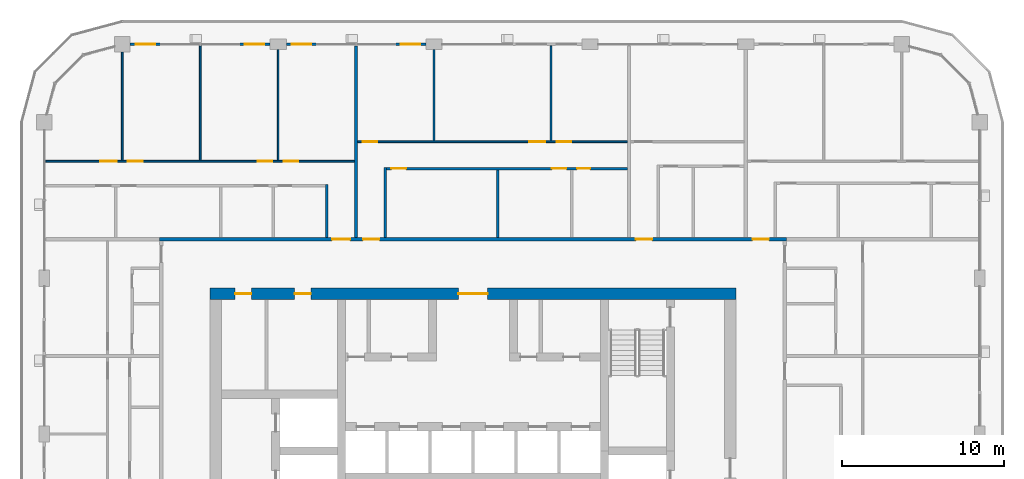
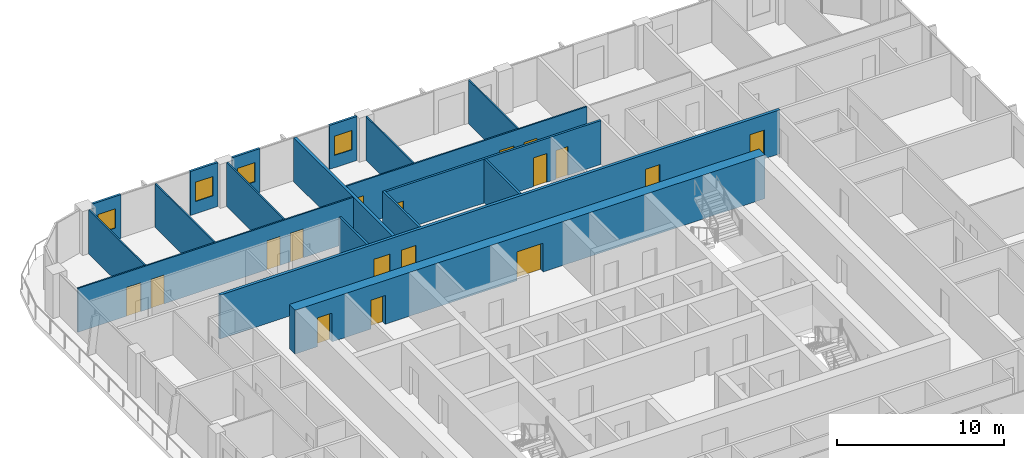
# One storey, part 14 of 23: 18 walls, 17 doors, 4 windows, 21 openings.
"""IFC4 building model written with IfcOpenShell, lengths in metres."""

import ifcopenshell
import ifcopenshell.guid

model = None  # the IFC model being written
_history = None  # IfcOwnerHistory: only IFC2X3 demands one
_inside = {}  # id of a spatial element -> (the spatial element, [elements in it])
_under = {}  # id of a project, library or spatial element -> (it, [spatial elements below it])
_declared = {}  # id of a project -> (the project, [libraries it declares])
_typed = {}  # id of a type object -> (the type object, [elements of that type])
_made_of = {}  # id of a material, layer set ... -> (it, [elements and type objects made of it])


def new_model(schema):
    """Start an empty IFC model of exactly this schema.

    Asked for "IFC4X3", IfcOpenShell would pick the latest addendum, in which some entities
    have other attributes; the version numbers below select the first issue.
    IFC2X3 requires an IfcOwnerHistory on every rooted entity: one is made here for all.
    """
    global model, _history
    if schema == "IFC4X3":
        model = ifcopenshell.file(schema_version=(4, 3, 0, 0))
    else:
        model = ifcopenshell.file(schema=schema)
    _inside.clear()
    _under.clear()
    _declared.clear()
    _typed.clear()
    _made_of.clear()
    _history = None
    if model.schema == "IFC2X3":
        org = make("IfcOrganization", Name="unknown")
        user = make(
            "IfcPersonAndOrganization",
            ThePerson=make("IfcPerson", FamilyName="unknown"),
            TheOrganization=org,
        )
        app = make(
            "IfcApplication",
            ApplicationDeveloper=org,
            Version="unknown",
            ApplicationFullName="unknown",
            ApplicationIdentifier="unknown",
        )
        _history = make(
            "IfcOwnerHistory",
            OwningUser=user,
            OwningApplication=app,
            ChangeAction="ADDED",
            CreationDate=0,
        )
    return model


def make(cls, **values):
    """One entity of the class cls with the attributes given. An attribute that is None is left unset."""
    return model.create_entity(
        cls, **{name: value for name, value in values.items() if value is not None}
    )


def rooted(cls, **values):
    """An entity with a GlobalId (a new one), such as an element, a storey or a relation."""
    return make(cls, GlobalId=ifcopenshell.guid.new(), OwnerHistory=_history, **values)


def si_unit(unit_type, name, prefix=None):
    """IfcSIUnit, for example si_unit("LENGTHUNIT", "METRE", prefix="MILLI")."""
    return make("IfcSIUnit", UnitType=unit_type, Prefix=prefix, Name=name)


def assignment(units):
    """IfcUnitAssignment: the units of a project."""
    return None if units is None else make("IfcUnitAssignment", Units=units)


def point(xyz):
    """IfcCartesianPoint."""
    return None if xyz is None else make("IfcCartesianPoint", Coordinates=xyz)


def direction(xyz):
    """IfcDirection."""
    return None if xyz is None else make("IfcDirection", DirectionRatios=xyz)


def frame(location, z_axis=None, x_axis=None):
    """IfcAxis2Placement3D, a coordinate frame: its origin and axes. An axis left out is left unset."""
    return make(
        "IfcAxis2Placement3D",
        Location=point(location),
        Axis=direction(z_axis),
        RefDirection=direction(x_axis),
    )


def frame_2d(location, x_axis=None):
    """IfcAxis2Placement2D, a coordinate frame in the plane: its origin and x axis."""
    return make(
        "IfcAxis2Placement2D", Location=point(location), RefDirection=direction(x_axis)
    )


def origin():
    """The frame at (0, 0, 0) with its axes left unset."""
    return frame((0.0, 0.0, 0.0))


def place(relative_to, where):
    """IfcLocalPlacement: puts the frame where relative to a parent placement (None: the world)."""
    return make(
        "IfcLocalPlacement", PlacementRelTo=relative_to, RelativePlacement=where
    )


def context(
    kind, dimensions, precision=None, world=None, true_north=None, identifier=None
):
    """IfcGeometricRepresentationContext, for example the 3D "Model" context."""
    return make(
        "IfcGeometricRepresentationContext",
        ContextIdentifier=identifier,
        ContextType=kind,
        CoordinateSpaceDimension=dimensions,
        Precision=precision,
        WorldCoordinateSystem=world,
        TrueNorth=true_north,
    )


def subcontext(parent, identifier, kind, view, scale=None):
    """IfcGeometricRepresentationSubContext, for example "Body" below "Model"."""
    return make(
        "IfcGeometricRepresentationSubContext",
        ContextIdentifier=identifier,
        ContextType=kind,
        ParentContext=parent,
        TargetScale=scale,
        TargetView=view,
    )


def project(units=None, contexts=None):
    """IfcProject with its units and contexts."""
    return rooted(
        "IfcProject",
        Name="project",
        RepresentationContexts=contexts,
        UnitsInContext=assignment(units),
    )


def spatial(cls, under=None, at=None, **own):
    """A site, building, storey or space (cls), placed at a placement, below another one or the project."""
    s = rooted(cls, ObjectPlacement=at, **own)
    if under is not None:
        _under.setdefault(under.id(), (under, []))[1].append(s)
    return s


def profile(cls, at=None, kind="AREA", **sizes):
    """A parametric profile (cls). Its sizes go by their IFC names, for example OverallWidth=200.0."""
    return make(cls, ProfileType=kind, Position=at, **sizes)


def rectangle(**sizes):
    """IfcRectangleProfileDef."""
    return profile("IfcRectangleProfileDef", **sizes)


def extrude(swept, where, along, depth):
    """IfcExtrudedAreaSolid: the profile swept, set in the frame where, extruded along a direction by depth."""
    return make(
        "IfcExtrudedAreaSolid",
        SweptArea=swept,
        Position=where,
        ExtrudedDirection=direction(along),
        Depth=depth,
    )


def shape(context_of_items, identifier, shape_type, items):
    """IfcShapeRepresentation: the items that make up one representation, for example the "Body"."""
    return make(
        "IfcShapeRepresentation",
        ContextOfItems=context_of_items,
        RepresentationIdentifier=identifier,
        RepresentationType=shape_type,
        Items=items,
    )


def material(Name=None, Category=None):
    """IfcMaterial."""
    return make("IfcMaterial", Name=Name, Category=Category)


def layer(
    of_material, thickness, ventilated=None, Name=None, Category=None, Priority=None
):
    """IfcMaterialLayer: one layer of a wall or slab, of a material (None: an air gap)."""
    return make(
        "IfcMaterialLayer",
        Material=of_material,
        LayerThickness=thickness,
        IsVentilated=ventilated,
        Name=Name,
        Category=Category,
        Priority=Priority,
    )


def layer_set(layers, Name=None):
    """IfcMaterialLayerSet."""
    return make("IfcMaterialLayerSet", MaterialLayers=layers, LayerSetName=Name)


def made_of(thing, what):
    """Note that an element or type object is made of a material, layer set ...; save() writes the relation."""
    if what is not None:
        _made_of.setdefault(what.id(), (what, []))[1].append(thing)
    return thing


def type_object(cls, material=None, **own):
    """A type object (cls), such as IfcWallType, which elements share."""
    return made_of(rooted(cls, **own), material)


def element(
    cls,
    number,
    at=None,
    inside=None,
    cuts=None,
    type_object=None,
    material=None,
    context=None,
    identifier="Body",
    shape_type=None,
    held_by="IfcProductDefinitionShape",
    body=None,
    shapes=None,
    **own,
):
    """One element of the class cls, such as IfcWall. Its Tag is "e" and its number.

    at: its placement. inside: the storey or other place that contains it. cuts: it is an
    opening in that element (IfcRelVoidsElement). A single representation is given by context,
    identifier, shape_type and body (its items); several are given by shapes. held_by: the class
    of the entity that holds the representations. save() writes the other relations.
    """
    e = rooted(cls, Tag="e%d" % number, ObjectPlacement=at, **own)
    if body is not None:
        shapes = [shape(context, identifier, shape_type, body)]
    if shapes is not None:
        e.Representation = make(held_by, Representations=shapes)
    if inside is not None:
        _inside.setdefault(inside.id(), (inside, []))[1].append(e)
    if cuts is not None:
        rooted(
            "IfcRelVoidsElement", RelatingBuildingElement=cuts, RelatedOpeningElement=e
        )
    if type_object is not None:
        _typed.setdefault(type_object.id(), (type_object, []))[1].append(e)
    return made_of(e, material)


def fill(opening, filler):
    """IfcRelFillsElement: the door or window that sits in an opening."""
    return rooted(
        "IfcRelFillsElement",
        RelatingOpeningElement=opening,
        RelatedBuildingElement=filler,
    )


def aggregate(whole, parts):
    """IfcRelAggregates: a whole, such as a stair, and the parts it consists of."""
    return rooted("IfcRelAggregates", RelatingObject=whole, RelatedObjects=parts)


def save(model, path):
    """Write the relations noted so far, then the file.

    IfcRelAggregates (storeys below a building ...), IfcRelContainedInSpatialStructure (elements
    in a storey), IfcRelDefinesByType, IfcRelAssociatesMaterial and IfcRelDeclares: one each for
    every whole, place, type object, material and project.
    """
    for whole, parts in _under.values():
        aggregate(whole, parts)
    for where, things in _inside.values():
        rooted(
            "IfcRelContainedInSpatialStructure",
            RelatedElements=things,
            RelatingStructure=where,
        )
    for kind, things in _typed.values():
        rooted("IfcRelDefinesByType", RelatedObjects=things, RelatingType=kind)
    for what, things in _made_of.values():
        rooted("IfcRelAssociatesMaterial", RelatedObjects=things, RelatingMaterial=what)
    for by, libraries in _declared.values():
        rooted("IfcRelDeclares", RelatingContext=by, RelatedDefinitions=libraries)
    model.write(path)


model = new_model("IFC4")

# Units and contexts
model_context = context("Model", 3, precision=1e-05, world=origin(), true_north=direction((0.0, 1.0)))
body_context = subcontext(model_context, "Body", "Model", "MODEL_VIEW")
ifc_project = project(units=[si_unit("LENGTHUNIT", "METRE"), si_unit("AREAUNIT", "SQUARE_METRE"), si_unit("VOLUMEUNIT", "CUBIC_METRE"), si_unit("PLANEANGLEUNIT", "RADIAN"), si_unit("MASSUNIT", "GRAM", prefix="KILO")], contexts=[model_context])

# Site, building, storey
site_placement = place(None, origin())
site = spatial("IfcSite", under=ifc_project, at=site_placement, CompositionType="ELEMENT")
building_placement = place(site_placement, origin())
building = spatial("IfcBuilding", under=site, at=building_placement, Name="Madar Terraces", CompositionType="ELEMENT")
storey_placement = place(building_placement, frame((0.0, 0.0, 212.300048828125)))
storey = spatial("IfcBuildingStorey", under=building, at=storey_placement, Name="L55", CompositionType="ELEMENT", Elevation=212.300048828125)

# Wall, openings, doors
ifc_material_1 = material(Name="Concrete C60/75", Category="concrete")
ifc_layer_1 = layer(ifc_material_1, 0.699951171875)
ifc_layer_set_1 = layer_set([ifc_layer_1], Name="Concrete C60/75 (CRW4 RC wall 700)")
wall_type_1 = type_object("IfcWallType", Name="CRW4 RC wall 700", PredefinedType="SHEAR", material=ifc_layer_set_1)
wall_1_placement = place(storey_placement, frame((15.0, 37.449951171875, 0.0), z_axis=(0.0, 0.0, 1.0), x_axis=(1.0, 0.0, 0.0)))
wall_1 = element("IfcWall", 1, at=wall_1_placement, inside=storey, type_object=wall_type_1, Name="CORE OUTER WALL", PredefinedType="SHEAR", context=body_context, shape_type="SweptSolid", body=[
    extrude(rectangle(XDim=32.39990234375, YDim=0.699951171875, at=frame_2d((16.199951171875, 0.0))), origin(), (0.0, 0.0, 1.0), 3.199951171875),
])
opening_1_placement = place(wall_1_placement, frame((15.300048828125, 0.0, 0.0)))
opening_1 = element("IfcOpeningElement", 2, at=opening_1_placement, cuts=wall_1, Name="Opening KD1", PredefinedType="OPENING", context=body_context, shape_type="SweptSolid", body=[
    extrude(rectangle(XDim=1.800048828125, YDim=2.10009765625, at=frame_2d((0.89990234375, 1.050048828125))), frame((0.0, 0.35986328125, 0.0), z_axis=(0.0, -1.0, 0.0), x_axis=(1.0, 0.0, 0.0)), (0.0, 0.0, 1.0), 0.719970703125),
])
opening_2_placement = place(wall_1_placement, frame((1.544189453125, 0.0, 0.0)))
opening_2 = element("IfcOpeningElement", 3, at=opening_2_placement, cuts=wall_1, Name="Opening KD2", PredefinedType="OPENING", context=body_context, shape_type="SweptSolid", body=[
    extrude(rectangle(XDim=1.0, YDim=2.10009765625, at=frame_2d((0.5, 1.050048828125))), frame((0.0, 0.35986328125, 0.0), z_axis=(0.0, -1.0, 0.0), x_axis=(1.0, 0.0, 0.0)), (0.0, 0.0, 1.0), 0.719970703125),
])
opening_3_placement = place(wall_1_placement, frame((5.21923828125, 0.0, 0.0)))
opening_3 = element("IfcOpeningElement", 4, at=opening_3_placement, cuts=wall_1, Name="Opening KD2", PredefinedType="OPENING", context=body_context, shape_type="SweptSolid", body=[
    extrude(rectangle(XDim=1.0, YDim=2.10009765625, at=frame_2d((0.5, 1.050048828125))), frame((0.0, 0.35986328125, 0.0), z_axis=(0.0, -1.0, 0.0), x_axis=(1.0, 0.0, 0.0)), (0.0, 0.0, 1.0), 0.719970703125),
])
ifc_material_2 = material(Name="Steel door leaf", Category="steel")
door_type_1 = type_object("IfcDoorType", Name="Lobby door pair 1800 x 2100", OperationType="DOUBLE_DOOR_SINGLE_SWING", PredefinedType="DOOR", material=ifc_material_2)
door_1_placement = place(opening_1_placement, origin())
door_1 = element("IfcDoor", 5, at=door_1_placement, inside=storey, type_object=door_type_1, Name="LIFT LOBBY DOOR", OperationType="DOUBLE_DOOR_SINGLE_SWING", OverallHeight=2.10009765625, OverallWidth=1.800048828125, PredefinedType="DOOR", context=body_context, shape_type="SweptSolid", body=[
    extrude(rectangle(XDim=1.800048828125, YDim=2.10009765625, at=frame_2d((0.89990234375, 1.050048828125))), frame((0.0, 0.02490234375, 0.0), z_axis=(0.0, -1.0, 0.0), x_axis=(1.0, 0.0, 0.0)), (0.0, 0.0, 1.0), 0.050048828125),
])
fill(opening_1, door_1)
ifc_material_3 = material(Name="Steel door leaf", Category="steel")
door_type_2 = type_object("IfcDoorType", Name="Service room door 1000 x 2100", OperationType="NOTDEFINED", PredefinedType="DOOR", material=ifc_material_3)
door_2_placement = place(opening_2_placement, origin())
door_2 = element("IfcDoor", 6, at=door_2_placement, inside=storey, type_object=door_type_2, Name="SERVICE ROOM DOOR", OperationType="SINGLE_SWING_RIGHT", OverallHeight=2.10009765625, OverallWidth=1.0, PredefinedType="DOOR", context=body_context, shape_type="SweptSolid", body=[
    extrude(rectangle(XDim=1.0, YDim=2.10009765625, at=frame_2d((0.5, 1.050048828125))), frame((0.0, 0.02490234375, 0.0), z_axis=(0.0, -1.0, 0.0), x_axis=(1.0, 0.0, 0.0)), (0.0, 0.0, 1.0), 0.050048828125),
])
fill(opening_2, door_2)
door_3_placement = place(opening_3_placement, origin())
door_3 = element("IfcDoor", 7, at=door_3_placement, inside=storey, type_object=door_type_2, Name="SERVICE ROOM DOOR", OperationType="SINGLE_SWING_LEFT", OverallHeight=2.10009765625, OverallWidth=1.0, PredefinedType="DOOR", context=body_context, shape_type="SweptSolid", body=[
    extrude(rectangle(XDim=1.0, YDim=2.10009765625, at=frame_2d((0.5, 1.050048828125))), frame((0.0, 0.02490234375, 0.0), z_axis=(0.0, -1.0, 0.0), x_axis=(1.0, 0.0, 0.0)), (0.0, 0.0, 1.0), 0.050048828125),
])
fill(opening_3, door_3)

# Wall, opening, window
ifc_material_4 = material(Name="Aluminium composite panel, black, over insulated backing", Category="aluminium")
ifc_layer_2 = layer(ifc_material_4, 0.14990234375)
ifc_layer_set_2 = layer_set([ifc_layer_2], Name="Facade bay panel 150")
wall_type_2 = type_object("IfcWallType", Name="Facade bay panel 150", PredefinedType="SOLIDWALL", material=ifc_layer_set_2)
wall_2_placement = place(storey_placement, frame((28.300048828125, 52.800048828125, 0.0), z_axis=(0.0, 0.0, 1.0), x_axis=(-1.0, 0.0, 0.0)))
wall_2 = element("IfcWall", 8, at=wall_2_placement, inside=storey, type_object=wall_type_2, Name="Facade bay panel", PredefinedType="SOLIDWALL", context=body_context, shape_type="SweptSolid", body=[
    extrude(rectangle(XDim=1.900146484375, YDim=0.14990234375, at=frame_2d((0.9501953125, 0.0))), origin(), (0.0, 0.0, 1.0), 3.199951171875),
])
opening_4_placement = place(wall_2_placement, frame((0.35009765625, 0.0, 0.89990234375)))
opening_4 = element("IfcOpeningElement", 9, at=opening_4_placement, cuts=wall_2, Name="Opening W1", PredefinedType="OPENING", context=body_context, shape_type="SweptSolid", body=[
    extrude(rectangle(XDim=1.199951171875, YDim=1.39990234375, at=frame_2d((0.60009765625, 0.699951171875))), frame((0.0, 0.0849609375, 0.0), z_axis=(0.0, -1.0, 0.0), x_axis=(1.0, 0.0, 0.0)), (0.0, 0.0, 1.0), 0.169921875),
])
ifc_material_5 = material(Name="Glass, clear, with black aluminium frame", Category="aluminium")
window_type = type_object("IfcWindowType", Name="Vent window 1200 x 1400", PartitioningType="SINGLE_PANEL", PredefinedType="WINDOW", material=ifc_material_5)
window_1_placement = place(opening_4_placement, origin())
window_1 = element("IfcWindow", 10, at=window_1_placement, inside=storey, type_object=window_type, Name="Operable vent window", OverallHeight=1.39990234375, OverallWidth=1.199951171875, PartitioningType="SINGLE_PANEL", PredefinedType="WINDOW", context=body_context, shape_type="SweptSolid", body=[
    extrude(rectangle(XDim=1.199951171875, YDim=1.39990234375, at=frame_2d((0.60009765625, 0.699951171875))), frame((0.0, 0.030029296875, 0.0), z_axis=(0.0, -1.0, 0.0), x_axis=(1.0, 0.0, 0.0)), (0.0, 0.0, 1.0), 0.06005859375),
])
fill(opening_4, window_1)

wall_3_placement = place(storey_placement, frame((21.60009765625, 52.800048828125, 0.0), z_axis=(0.0, 0.0, 1.0), x_axis=(-1.0, 0.0, 0.0)))
wall_3 = element("IfcWall", 11, at=wall_3_placement, inside=storey, type_object=wall_type_2, Name="Facade bay panel", PredefinedType="SOLIDWALL", context=body_context, shape_type="SweptSolid", body=[
    extrude(rectangle(XDim=1.900146484375, YDim=0.14990234375, at=frame_2d((0.9501953125, 0.0))), origin(), (0.0, 0.0, 1.0), 3.199951171875),
])
opening_5_placement = place(wall_3_placement, frame((0.35009765625, 0.0, 0.89990234375)))
opening_5 = element("IfcOpeningElement", 12, at=opening_5_placement, cuts=wall_3, Name="Opening W1", PredefinedType="OPENING", context=body_context, shape_type="SweptSolid", body=[
    extrude(rectangle(XDim=1.199951171875, YDim=1.39990234375, at=frame_2d((0.60009765625, 0.699951171875))), frame((0.0, 0.0849609375, 0.0), z_axis=(0.0, -1.0, 0.0), x_axis=(1.0, 0.0, 0.0)), (0.0, 0.0, 1.0), 0.169921875),
])
window_2_placement = place(opening_5_placement, origin())
window_2 = element("IfcWindow", 13, at=window_2_placement, inside=storey, type_object=window_type, Name="Operable vent window", OverallHeight=1.39990234375, OverallWidth=1.199951171875, PartitioningType="SINGLE_PANEL", PredefinedType="WINDOW", context=body_context, shape_type="SweptSolid", body=[
    extrude(rectangle(XDim=1.199951171875, YDim=1.39990234375, at=frame_2d((0.60009765625, 0.699951171875))), frame((0.0, 0.030029296875, 0.0), z_axis=(0.0, -1.0, 0.0), x_axis=(1.0, 0.0, 0.0)), (0.0, 0.0, 1.0), 0.06005859375),
])
fill(opening_5, window_2)

wall_4_placement = place(storey_placement, frame((18.699951171875, 52.800048828125, 0.0), z_axis=(0.0, 0.0, 1.0), x_axis=(-1.0, 0.0, 0.0)))
wall_4 = element("IfcWall", 14, at=wall_4_placement, inside=storey, type_object=wall_type_2, Name="Facade bay panel", PredefinedType="SOLIDWALL", context=body_context, shape_type="SweptSolid", body=[
    extrude(rectangle(XDim=1.89990234375, YDim=0.14990234375, at=frame_2d((0.949951171875, 0.0))), origin(), (0.0, 0.0, 1.0), 3.199951171875),
])
opening_6_placement = place(wall_4_placement, frame((0.35009765625, 0.0, 0.89990234375)))
opening_6 = element("IfcOpeningElement", 15, at=opening_6_placement, cuts=wall_4, Name="Opening W1", PredefinedType="OPENING", context=body_context, shape_type="SweptSolid", body=[
    extrude(rectangle(XDim=1.199951171875, YDim=1.39990234375, at=frame_2d((0.60009765625, 0.699951171875))), frame((0.0, 0.0849609375, 0.0), z_axis=(0.0, -1.0, 0.0), x_axis=(1.0, 0.0, 0.0)), (0.0, 0.0, 1.0), 0.169921875),
])
window_3_placement = place(opening_6_placement, origin())
window_3 = element("IfcWindow", 16, at=window_3_placement, inside=storey, type_object=window_type, Name="Operable vent window", OverallHeight=1.39990234375, OverallWidth=1.199951171875, PartitioningType="SINGLE_PANEL", PredefinedType="WINDOW", context=body_context, shape_type="SweptSolid", body=[
    extrude(rectangle(XDim=1.199951171875, YDim=1.39990234375, at=frame_2d((0.60009765625, 0.699951171875))), frame((0.0, 0.030029296875, 0.0), z_axis=(0.0, -1.0, 0.0), x_axis=(1.0, 0.0, 0.0)), (0.0, 0.0, 1.0), 0.06005859375),
])
fill(opening_6, window_3)

wall_5_placement = place(storey_placement, frame((12.0, 52.800048828125, 0.0), z_axis=(0.0, 0.0, 1.0), x_axis=(-1.0, 0.0, 0.0)))
wall_5 = element("IfcWall", 17, at=wall_5_placement, inside=storey, type_object=wall_type_2, Name="Facade bay panel", PredefinedType="SOLIDWALL", context=body_context, shape_type="SweptSolid", body=[
    extrude(rectangle(XDim=1.925048828125, YDim=0.14990234375, at=frame_2d((0.96240234375, 0.0))), origin(), (0.0, 0.0, 1.0), 3.199951171875),
])
opening_7_placement = place(wall_5_placement, frame((0.362548828125, 0.0, 0.89990234375)))
opening_7 = element("IfcOpeningElement", 18, at=opening_7_placement, cuts=wall_5, Name="Opening W1", PredefinedType="OPENING", context=body_context, shape_type="SweptSolid", body=[
    extrude(rectangle(XDim=1.199951171875, YDim=1.39990234375, at=frame_2d((0.60009765625, 0.699951171875))), frame((0.0, 0.0849609375, 0.0), z_axis=(0.0, -1.0, 0.0), x_axis=(1.0, 0.0, 0.0)), (0.0, 0.0, 1.0), 0.169921875),
])
window_4_placement = place(opening_7_placement, origin())
window_4 = element("IfcWindow", 19, at=window_4_placement, inside=storey, type_object=window_type, Name="Operable vent window", OverallHeight=1.39990234375, OverallWidth=1.199951171875, PartitioningType="SINGLE_PANEL", PredefinedType="WINDOW", context=body_context, shape_type="SweptSolid", body=[
    extrude(rectangle(XDim=1.199951171875, YDim=1.39990234375, at=frame_2d((0.60009765625, 0.699951171875))), frame((0.0, 0.030029296875, 0.0), z_axis=(0.0, -1.0, 0.0), x_axis=(1.0, 0.0, 0.0)), (0.0, 0.0, 1.0), 0.06005859375),
])
fill(opening_7, window_4)

# Walls
ifc_material_6 = material(Name="Gypsum board on steel studs", Category="steel")
ifc_layer_3 = layer(ifc_material_6, 0.10009765625)
ifc_layer_set_3 = layer_set([ifc_layer_3], Name="Flat partition 100")
wall_type_3 = type_object("IfcWallType", Name="Flat partition 100", PredefinedType="PARTITIONING", material=ifc_layer_set_3)
wall_6_placement = place(storey_placement, frame((28.800048828125, 46.85009765625, 0.0), z_axis=(0.0, 0.0, 1.0), x_axis=(0.0, 1.0, 0.0)))
element("IfcWall", 20, at=wall_6_placement, inside=storey, type_object=wall_type_3, Name="Flat partition 100", PredefinedType="PARTITIONING", context=body_context, shape_type="SweptSolid", body=[
    extrude(rectangle(XDim=5.625, YDim=0.10009765625, at=frame_2d((2.8125, 0.0))), origin(), (0.0, 0.0, 1.0), 3.199951171875),
])
wall_7_placement = place(storey_placement, frame((36.0, 46.85009765625, 0.0), z_axis=(0.0, 0.0, 1.0), x_axis=(0.0, 1.0, 0.0)))
element("IfcWall", 21, at=wall_7_placement, inside=storey, type_object=wall_type_3, Name="Flat partition 100", PredefinedType="PARTITIONING", context=body_context, shape_type="SweptSolid", body=[
    extrude(rectangle(XDim=5.849853515625, YDim=0.10009765625, at=frame_2d((2.9248046875, 0.0))), origin(), (0.0, 0.0, 1.0), 3.199951171875),
])

# Wall, openings, doors
wall_8_placement = place(storey_placement, frame((24.10009765625, 46.800048828125, 0.0), z_axis=(0.0, 0.0, 1.0), x_axis=(1.0, 0.0, 0.0)))
wall_8 = element("IfcWall", 22, at=wall_8_placement, inside=storey, type_object=wall_type_3, Name="Flat partition 100", PredefinedType="PARTITIONING", context=body_context, shape_type="SweptSolid", body=[
    extrude(rectangle(XDim=16.599853515625, YDim=0.10009765625, at=frame_2d((8.2998046875, 0.0))), origin(), (0.0, 0.0, 1.0), 3.199951171875),
])
opening_8_placement = place(wall_8_placement, frame((0.300048828125, 0.0, 0.0)))
opening_8 = element("IfcOpeningElement", 23, at=opening_8_placement, cuts=wall_8, Name="Opening D2", PredefinedType="OPENING", context=body_context, shape_type="SweptSolid", body=[
    extrude(rectangle(XDim=0.89990234375, YDim=2.10009765625, at=frame_2d((0.449951171875, 1.050048828125))), frame((0.0, 0.06005859375, 0.0), z_axis=(0.0, -1.0, 0.0), x_axis=(1.0, 0.0, 0.0)), (0.0, 0.0, 1.0), 0.1201171875),
])
opening_9_placement = place(wall_8_placement, frame((10.550048828125, 0.0, 0.0)))
opening_9 = element("IfcOpeningElement", 24, at=opening_9_placement, cuts=wall_8, Name="Opening D3", PredefinedType="OPENING", context=body_context, shape_type="SweptSolid", body=[
    extrude(rectangle(XDim=1.0, YDim=2.10009765625, at=frame_2d((0.5, 1.050048828125))), frame((0.0, 0.06005859375, 0.0), z_axis=(0.0, -1.0, 0.0), x_axis=(1.0, 0.0, 0.0)), (0.0, 0.0, 1.0), 0.1201171875),
])
opening_10_placement = place(wall_8_placement, frame((12.25, 0.0, 0.0)))
opening_10 = element("IfcOpeningElement", 25, at=opening_10_placement, cuts=wall_8, Name="Opening D2", PredefinedType="OPENING", context=body_context, shape_type="SweptSolid", body=[
    extrude(rectangle(XDim=0.89990234375, YDim=2.10009765625, at=frame_2d((0.449951171875, 1.050048828125))), frame((0.0, 0.06005859375, 0.0), z_axis=(0.0, -1.0, 0.0), x_axis=(1.0, 0.0, 0.0)), (0.0, 0.0, 1.0), 0.1201171875),
])
ifc_material_7 = material(Name="Timber door leaf", Category="wood")
door_type_3 = type_object("IfcDoorType", Name="Flat living room door 1000", OperationType="NOTDEFINED", PredefinedType="DOOR", material=ifc_material_7)
door_4_placement = place(opening_9_placement, origin())
door_4 = element("IfcDoor", 26, at=door_4_placement, inside=storey, type_object=door_type_3, Name="Flat living room door 1000", OperationType="SINGLE_SWING_RIGHT", OverallHeight=2.10009765625, OverallWidth=1.0, PredefinedType="DOOR", context=body_context, shape_type="SweptSolid", body=[
    extrude(rectangle(XDim=1.0, YDim=2.10009765625, at=frame_2d((0.5, 1.050048828125))), frame((0.0, 0.02490234375, 0.0), z_axis=(0.0, -1.0, 0.0), x_axis=(1.0, 0.0, 0.0)), (0.0, 0.0, 1.0), 0.050048828125),
])
fill(opening_9, door_4)
ifc_material_8 = material(Name="Timber door leaf", Category="wood")
door_type_4 = type_object("IfcDoorType", Name="Flat room door 900", OperationType="NOTDEFINED", PredefinedType="DOOR", material=ifc_material_8)
door_5_placement = place(opening_8_placement, origin())
door_5 = element("IfcDoor", 27, at=door_5_placement, inside=storey, type_object=door_type_4, Name="Flat room door 900", OperationType="SINGLE_SWING_LEFT", OverallHeight=2.10009765625, OverallWidth=0.89990234375, PredefinedType="DOOR", context=body_context, shape_type="SweptSolid", body=[
    extrude(rectangle(XDim=0.89990234375, YDim=2.10009765625, at=frame_2d((0.449951171875, 1.050048828125))), frame((0.0, 0.02490234375, 0.0), z_axis=(0.0, -1.0, 0.0), x_axis=(1.0, 0.0, 0.0)), (0.0, 0.0, 1.0), 0.050048828125),
])
fill(opening_8, door_5)
door_6_placement = place(opening_10_placement, origin())
door_6 = element("IfcDoor", 28, at=door_6_placement, inside=storey, type_object=door_type_4, Name="Flat room door 900", OperationType="SINGLE_SWING_LEFT", OverallHeight=2.10009765625, OverallWidth=0.89990234375, PredefinedType="DOOR", context=body_context, shape_type="SweptSolid", body=[
    extrude(rectangle(XDim=0.89990234375, YDim=2.10009765625, at=frame_2d((0.449951171875, 1.050048828125))), frame((0.0, 0.02490234375, 0.0), z_axis=(0.0, -1.0, 0.0), x_axis=(1.0, 0.0, 0.0)), (0.0, 0.0, 1.0), 0.050048828125),
])
fill(opening_10, door_6)

# Walls
wall_9_placement = place(storey_placement, frame((19.199951171875, 45.64990234375, 0.0), z_axis=(0.0, 0.0, 1.0), x_axis=(0.0, 1.0, 0.0)))
element("IfcWall", 29, at=wall_9_placement, inside=storey, type_object=wall_type_3, Name="Flat partition 100", PredefinedType="PARTITIONING", context=body_context, shape_type="SweptSolid", body=[
    extrude(rectangle(XDim=6.8251953125, YDim=0.10009765625, at=frame_2d((3.41259765625, 0.0))), origin(), (0.0, 0.0, 1.0), 3.199951171875),
])
wall_10_placement = place(storey_placement, frame((14.39990234375, 45.64990234375, 0.0), z_axis=(0.0, 0.0, 1.0), x_axis=(0.0, 1.0, 0.0)))
element("IfcWall", 30, at=wall_10_placement, inside=storey, type_object=wall_type_3, Name="Flat partition 100", PredefinedType="PARTITIONING", context=body_context, shape_type="SweptSolid", body=[
    extrude(rectangle(XDim=7.050048828125, YDim=0.10009765625, at=frame_2d((3.52490234375, 0.0))), origin(), (0.0, 0.0, 1.0), 3.199951171875),
])
wall_11_placement = place(storey_placement, frame((9.60009765625, 45.64990234375, 0.0), z_axis=(0.0, 0.0, 1.0), x_axis=(0.0, 1.0, 0.0)))
element("IfcWall", 31, at=wall_11_placement, inside=storey, type_object=wall_type_3, Name="Flat partition 100", PredefinedType="PARTITIONING", context=body_context, shape_type="SweptSolid", body=[
    extrude(rectangle(XDim=6.675048828125, YDim=0.10009765625, at=frame_2d((3.33740234375, 0.0))), origin(), (0.0, 0.0, 1.0), 3.199951171875),
])

# Wall, openings, doors
wall_12_placement = place(storey_placement, frame((4.89990234375, 45.60009765625, 0.0), z_axis=(0.0, 0.0, 1.0), x_axis=(1.0, 0.0, 0.0)))
wall_12 = element("IfcWall", 32, at=wall_12_placement, inside=storey, type_object=wall_type_3, Name="Flat partition 100", PredefinedType="PARTITIONING", context=body_context, shape_type="SweptSolid", body=[
    extrude(rectangle(XDim=19.0, YDim=0.10009765625, at=frame_2d((9.5, 0.0))), origin(), (0.0, 0.0, 1.0), 3.199951171875),
])
opening_11_placement = place(wall_12_placement, frame((14.64990234375, 0.0, 0.0)))
opening_11 = element("IfcOpeningElement", 33, at=opening_11_placement, cuts=wall_12, Name="Opening D2", PredefinedType="OPENING", context=body_context, shape_type="SweptSolid", body=[
    extrude(rectangle(XDim=0.89990234375, YDim=2.10009765625, at=frame_2d((0.449951171875, 1.050048828125))), frame((0.0, 0.06005859375, 0.0), z_axis=(0.0, -1.0, 0.0), x_axis=(1.0, 0.0, 0.0)), (0.0, 0.0, 1.0), 0.1201171875),
])
opening_12_placement = place(wall_12_placement, frame((13.050048828125, 0.0, 0.0)))
opening_12 = element("IfcOpeningElement", 34, at=opening_12_placement, cuts=wall_12, Name="Opening D2", PredefinedType="OPENING", context=body_context, shape_type="SweptSolid", body=[
    extrude(rectangle(XDim=0.89990234375, YDim=2.10009765625, at=frame_2d((0.449951171875, 1.050048828125))), frame((0.0, 0.06005859375, 0.0), z_axis=(0.0, -1.0, 0.0), x_axis=(1.0, 0.0, 0.0)), (0.0, 0.0, 1.0), 0.1201171875),
])
opening_13_placement = place(wall_12_placement, frame((5.050048828125, 0.0, 0.0)))
opening_13 = element("IfcOpeningElement", 35, at=opening_13_placement, cuts=wall_12, Name="Opening D2", PredefinedType="OPENING", context=body_context, shape_type="SweptSolid", body=[
    extrude(rectangle(XDim=0.89990234375, YDim=2.10009765625, at=frame_2d((0.449951171875, 1.050048828125))), frame((0.0, 0.06005859375, 0.0), z_axis=(0.0, -1.0, 0.0), x_axis=(1.0, 0.0, 0.0)), (0.0, 0.0, 1.0), 0.1201171875),
])
opening_14_placement = place(wall_12_placement, frame((3.35009765625, 0.0, 0.0)))
opening_14 = element("IfcOpeningElement", 36, at=opening_14_placement, cuts=wall_12, Name="Opening D3", PredefinedType="OPENING", context=body_context, shape_type="SweptSolid", body=[
    extrude(rectangle(XDim=1.0, YDim=2.10009765625, at=frame_2d((0.5, 1.050048828125))), frame((0.0, 0.06005859375, 0.0), z_axis=(0.0, -1.0, 0.0), x_axis=(1.0, 0.0, 0.0)), (0.0, 0.0, 1.0), 0.1201171875),
])
door_7_placement = place(opening_14_placement, origin())
door_7 = element("IfcDoor", 37, at=door_7_placement, inside=storey, type_object=door_type_3, Name="Flat living room door 1000", OperationType="SINGLE_SWING_RIGHT", OverallHeight=2.10009765625, OverallWidth=1.0, PredefinedType="DOOR", context=body_context, shape_type="SweptSolid", body=[
    extrude(rectangle(XDim=1.0, YDim=2.10009765625, at=frame_2d((0.5, 1.050048828125))), frame((0.0, 0.02490234375, 0.0), z_axis=(0.0, -1.0, 0.0), x_axis=(1.0, 0.0, 0.0)), (0.0, 0.0, 1.0), 0.050048828125),
])
fill(opening_14, door_7)
door_8_placement = place(opening_11_placement, origin())
door_8 = element("IfcDoor", 38, at=door_8_placement, inside=storey, type_object=door_type_4, Name="Flat room door 900", OperationType="SINGLE_SWING_LEFT", OverallHeight=2.10009765625, OverallWidth=0.89990234375, PredefinedType="DOOR", context=body_context, shape_type="SweptSolid", body=[
    extrude(rectangle(XDim=0.89990234375, YDim=2.10009765625, at=frame_2d((0.449951171875, 1.050048828125))), frame((0.0, 0.02490234375, 0.0), z_axis=(0.0, -1.0, 0.0), x_axis=(1.0, 0.0, 0.0)), (0.0, 0.0, 1.0), 0.050048828125),
])
fill(opening_11, door_8)
door_9_placement = place(opening_12_placement, origin())
door_9 = element("IfcDoor", 39, at=door_9_placement, inside=storey, type_object=door_type_4, Name="Flat room door 900", OperationType="SINGLE_SWING_RIGHT", OverallHeight=2.10009765625, OverallWidth=0.89990234375, PredefinedType="DOOR", context=body_context, shape_type="SweptSolid", body=[
    extrude(rectangle(XDim=0.89990234375, YDim=2.10009765625, at=frame_2d((0.449951171875, 1.050048828125))), frame((0.0, 0.02490234375, 0.0), z_axis=(0.0, -1.0, 0.0), x_axis=(1.0, 0.0, 0.0)), (0.0, 0.0, 1.0), 0.050048828125),
])
fill(opening_12, door_9)
door_10_placement = place(opening_13_placement, origin())
door_10 = element("IfcDoor", 40, at=door_10_placement, inside=storey, type_object=door_type_4, Name="Flat room door 900", OperationType="SINGLE_SWING_LEFT", OverallHeight=2.10009765625, OverallWidth=0.89990234375, PredefinedType="DOOR", context=body_context, shape_type="SweptSolid", body=[
    extrude(rectangle(XDim=0.89990234375, YDim=2.10009765625, at=frame_2d((0.449951171875, 1.050048828125))), frame((0.0, 0.02490234375, 0.0), z_axis=(0.0, -1.0, 0.0), x_axis=(1.0, 0.0, 0.0)), (0.0, 0.0, 1.0), 0.050048828125),
])
fill(opening_13, door_10)

ifc_material_9 = material(Name="Lightweight blockwork", Category="masonry")
ifc_layer_4 = layer(ifc_material_9, 0.199951171875)
ifc_layer_set_4 = layer_set([ifc_layer_4], Name="Flat party and entrance wall 200")
wall_type_4 = type_object("IfcWallType", Name="Flat party and entrance wall 200", PredefinedType="PARTITIONING", material=ifc_layer_set_4)
wall_13_placement = place(storey_placement, frame((11.89990234375, 40.800048828125, 0.0), z_axis=(0.0, 0.0, 1.0), x_axis=(1.0, 0.0, 0.0)))
wall_13 = element("IfcWall", 41, at=wall_13_placement, inside=storey, type_object=wall_type_4, Name="Flat party and entrance wall 200", PredefinedType="PARTITIONING", context=body_context, shape_type="SweptSolid", body=[
    extrude(rectangle(XDim=38.60009765625, YDim=0.199951171875, at=frame_2d((19.300048828125, 0.0))), origin(), (0.0, 0.0, 1.0), 3.199951171875),
])
opening_15_placement = place(wall_13_placement, frame((36.52490234375, 0.0, 0.0)))
opening_15 = element("IfcOpeningElement", 42, at=opening_15_placement, cuts=wall_13, Name="Opening D1", PredefinedType="OPENING", context=body_context, shape_type="SweptSolid", body=[
    extrude(rectangle(XDim=1.0, YDim=2.10009765625, at=frame_2d((0.5, 1.050048828125))), frame((0.0, 0.10986328125, 0.0), z_axis=(0.0, -1.0, 0.0), x_axis=(1.0, 0.0, 0.0)), (0.0, 0.0, 1.0), 0.219970703125),
])
opening_16_placement = place(wall_13_placement, frame((29.324951171875, 0.0, 0.0)))
opening_16 = element("IfcOpeningElement", 43, at=opening_16_placement, cuts=wall_13, Name="Opening D1", PredefinedType="OPENING", context=body_context, shape_type="SweptSolid", body=[
    extrude(rectangle(XDim=1.0, YDim=2.10009765625, at=frame_2d((0.5, 1.050048828125))), frame((0.0, 0.10986328125, 0.0), z_axis=(0.0, -1.0, 0.0), x_axis=(1.0, 0.0, 0.0)), (0.0, 0.0, 1.0), 0.219970703125),
])
opening_17_placement = place(wall_13_placement, frame((12.52490234375, 0.0, 0.0)))
opening_17 = element("IfcOpeningElement", 44, at=opening_17_placement, cuts=wall_13, Name="Opening D1", PredefinedType="OPENING", context=body_context, shape_type="SweptSolid", body=[
    extrude(rectangle(XDim=1.0, YDim=2.10009765625, at=frame_2d((0.5, 1.050048828125))), frame((0.0, 0.10986328125, 0.0), z_axis=(0.0, -1.0, 0.0), x_axis=(1.0, 0.0, 0.0)), (0.0, 0.0, 1.0), 0.219970703125),
])
opening_18_placement = place(wall_13_placement, frame((10.625, 0.0, 0.0)))
opening_18 = element("IfcOpeningElement", 45, at=opening_18_placement, cuts=wall_13, Name="Opening D6", PredefinedType="OPENING", context=body_context, shape_type="SweptSolid", body=[
    extrude(rectangle(XDim=1.10009765625, YDim=2.10009765625, at=frame_2d((0.550048828125, 1.050048828125))), frame((0.0, 0.10986328125, 0.0), z_axis=(0.0, -1.0, 0.0), x_axis=(1.0, 0.0, 0.0)), (0.0, 0.0, 1.0), 0.219970703125),
])
ifc_material_10 = material(Name="Timber fire door leaf", Category="wood")
door_type_5 = type_object("IfcDoorType", Name="Flat entrance door 1000 FD30S", OperationType="NOTDEFINED", PredefinedType="DOOR", material=ifc_material_10)
door_11_placement = place(opening_15_placement, origin())
door_11 = element("IfcDoor", 46, at=door_11_placement, inside=storey, type_object=door_type_5, Name="Flat entrance door 1000 FD30S", OperationType="SINGLE_SWING_LEFT", OverallHeight=2.10009765625, OverallWidth=1.0, PredefinedType="DOOR", context=body_context, shape_type="SweptSolid", body=[
    extrude(rectangle(XDim=1.0, YDim=2.10009765625, at=frame_2d((0.5, 1.050048828125))), frame((0.0, 0.02490234375, 0.0), z_axis=(0.0, -1.0, 0.0), x_axis=(1.0, 0.0, 0.0)), (0.0, 0.0, 1.0), 0.050048828125),
])
fill(opening_15, door_11)
door_12_placement = place(opening_16_placement, origin())
door_12 = element("IfcDoor", 47, at=door_12_placement, inside=storey, type_object=door_type_5, Name="Flat entrance door 1000 FD30S", OperationType="SINGLE_SWING_LEFT", OverallHeight=2.10009765625, OverallWidth=1.0, PredefinedType="DOOR", context=body_context, shape_type="SweptSolid", body=[
    extrude(rectangle(XDim=1.0, YDim=2.10009765625, at=frame_2d((0.5, 1.050048828125))), frame((0.0, 0.02490234375, 0.0), z_axis=(0.0, -1.0, 0.0), x_axis=(1.0, 0.0, 0.0)), (0.0, 0.0, 1.0), 0.050048828125),
])
fill(opening_16, door_12)
door_13_placement = place(opening_17_placement, origin())
door_13 = element("IfcDoor", 48, at=door_13_placement, inside=storey, type_object=door_type_5, Name="Flat entrance door 1000 FD30S", OperationType="SINGLE_SWING_LEFT", OverallHeight=2.10009765625, OverallWidth=1.0, PredefinedType="DOOR", context=body_context, shape_type="SweptSolid", body=[
    extrude(rectangle(XDim=1.0, YDim=2.10009765625, at=frame_2d((0.5, 1.050048828125))), frame((0.0, 0.02490234375, 0.0), z_axis=(0.0, -1.0, 0.0), x_axis=(1.0, 0.0, 0.0)), (0.0, 0.0, 1.0), 0.050048828125),
])
fill(opening_17, door_13)
ifc_material_11 = material(Name="Timber fire door leaf", Category="wood")
door_type_6 = type_object("IfcDoorType", Name="Flat entrance door 1100 FD30S", OperationType="NOTDEFINED", PredefinedType="DOOR", material=ifc_material_11)
door_14_placement = place(opening_18_placement, origin())
door_14 = element("IfcDoor", 49, at=door_14_placement, inside=storey, type_object=door_type_6, Name="Flat entrance door 1100 FD30S", OperationType="SINGLE_SWING_RIGHT", OverallHeight=2.10009765625, OverallWidth=1.10009765625, PredefinedType="DOOR", context=body_context, shape_type="SweptSolid", body=[
    extrude(rectangle(XDim=1.10009765625, YDim=2.10009765625, at=frame_2d((0.550048828125, 1.050048828125))), frame((0.0, 0.02490234375, 0.0), z_axis=(0.0, -1.0, 0.0), x_axis=(1.0, 0.0, 0.0)), (0.0, 0.0, 1.0), 0.050048828125),
])
fill(opening_18, door_14)

# Walls
wall_14_placement = place(storey_placement, frame((24.0, 52.699951171875, 0.0), z_axis=(0.0, 0.0, 1.0), x_axis=(0.0, -1.0, 0.0)))
element("IfcWall", 50, at=wall_14_placement, inside=storey, type_object=wall_type_4, Name="Flat party and entrance wall 200", PredefinedType="PARTITIONING", context=body_context, shape_type="SweptSolid", body=[
    extrude(rectangle(XDim=11.800048828125, YDim=0.199951171875, at=frame_2d((5.89990234375, 0.0))), origin(), (0.0, 0.0, 1.0), 3.199951171875),
])
ifc_material_12 = material(Name="Lightweight blockwork", Category="masonry")
ifc_layer_5 = layer(ifc_material_12, 0.14990234375)
ifc_layer_set_5 = layer_set([ifc_layer_5], Name="Flat wet-room partition 150")
wall_type_5 = type_object("IfcWallType", Name="Flat wet-room partition 150", PredefinedType="PARTITIONING", material=ifc_layer_set_5)
wall_15_placement = place(storey_placement, frame((32.71728515625, 40.89990234375, 0.0), z_axis=(0.0, 0.0, 1.0), x_axis=(0.0, 1.0, 0.0)))
element("IfcWall", 51, at=wall_15_placement, inside=storey, type_object=wall_type_5, Name="Flat wet-room partition 150", PredefinedType="PARTITIONING", context=body_context, shape_type="SweptSolid", body=[
    extrude(rectangle(XDim=4.175048828125, YDim=0.14990234375, at=frame_2d((2.08740234375, 0.0))), origin(), (0.0, 0.0, 1.0), 3.199951171875),
])
wall_16_placement = place(storey_placement, frame((25.800048828125, 40.89990234375, 0.0), z_axis=(0.0, 0.0, 1.0), x_axis=(0.0, 1.0, 0.0)))
element("IfcWall", 52, at=wall_16_placement, inside=storey, type_object=wall_type_5, Name="Flat wet-room partition 150", PredefinedType="PARTITIONING", context=body_context, shape_type="SweptSolid", body=[
    extrude(rectangle(XDim=4.3251953125, YDim=0.14990234375, at=frame_2d((2.16259765625, 0.0))), origin(), (0.0, 0.0, 1.0), 3.199951171875),
])

# Wall, openings, doors
wall_17_placement = place(storey_placement, frame((40.699951171875, 45.14990234375, 0.0), z_axis=(0.0, 0.0, 1.0), x_axis=(-1.0, 0.0, 0.0)))
wall_17 = element("IfcWall", 53, at=wall_17_placement, inside=storey, type_object=wall_type_5, Name="Flat wet-room partition 150", PredefinedType="PARTITIONING", context=body_context, shape_type="SweptSolid", body=[
    extrude(rectangle(XDim=14.824951171875, YDim=0.14990234375, at=frame_2d((7.41259765625, 0.0))), origin(), (0.0, 0.0, 1.0), 3.199951171875),
])
opening_19_placement = place(wall_17_placement, frame((13.625, 0.0, 0.0)))
opening_19 = element("IfcOpeningElement", 54, at=opening_19_placement, cuts=wall_17, Name="Opening D2", PredefinedType="OPENING", context=body_context, shape_type="SweptSolid", body=[
    extrude(rectangle(XDim=0.89990234375, YDim=2.10009765625, at=frame_2d((0.449951171875, 1.050048828125))), frame((0.0, 0.0849609375, 0.0), z_axis=(0.0, -1.0, 0.0), x_axis=(1.0, 0.0, 0.0)), (0.0, 0.0, 1.0), 0.169921875),
])
opening_20_placement = place(wall_17_placement, frame((3.74609375, 0.0, 0.0)))
opening_20 = element("IfcOpeningElement", 55, at=opening_20_placement, cuts=wall_17, Name="Opening D5", PredefinedType="OPENING", context=body_context, shape_type="SweptSolid", body=[
    extrude(rectangle(XDim=0.89990234375, YDim=2.10009765625, at=frame_2d((0.449951171875, 1.050048828125))), frame((0.0, 0.0849609375, 0.0), z_axis=(0.0, -1.0, 0.0), x_axis=(1.0, 0.0, 0.0)), (0.0, 0.0, 1.0), 0.169921875),
])
opening_21_placement = place(wall_17_placement, frame((2.296142578125, 0.0, 0.0)))
opening_21 = element("IfcOpeningElement", 56, at=opening_21_placement, cuts=wall_17, Name="Opening D4", PredefinedType="OPENING", context=body_context, shape_type="SweptSolid", body=[
    extrude(rectangle(XDim=0.800048828125, YDim=2.10009765625, at=frame_2d((0.39990234375, 1.050048828125))), frame((0.0, 0.0849609375, 0.0), z_axis=(0.0, -1.0, 0.0), x_axis=(1.0, 0.0, 0.0)), (0.0, 0.0, 1.0), 0.169921875),
])
ifc_material_13 = material(Name="Timber door leaf", Category="wood")
door_type_7 = type_object("IfcDoorType", Name="Flat accessible bathroom door 900", OperationType="NOTDEFINED", PredefinedType="DOOR", material=ifc_material_13)
door_15_placement = place(opening_20_placement, origin())
door_15 = element("IfcDoor", 57, at=door_15_placement, inside=storey, type_object=door_type_7, Name="Flat accessible bathroom door 900", OperationType="SINGLE_SWING_LEFT", OverallHeight=2.10009765625, OverallWidth=0.89990234375, PredefinedType="DOOR", context=body_context, shape_type="SweptSolid", body=[
    extrude(rectangle(XDim=0.89990234375, YDim=2.10009765625, at=frame_2d((0.449951171875, 1.050048828125))), frame((0.0, 0.02490234375, 0.0), z_axis=(0.0, -1.0, 0.0), x_axis=(1.0, 0.0, 0.0)), (0.0, 0.0, 1.0), 0.050048828125),
])
fill(opening_20, door_15)
ifc_material_14 = material(Name="Timber door leaf", Category="wood")
door_type_8 = type_object("IfcDoorType", Name="Flat bathroom door 800", OperationType="NOTDEFINED", PredefinedType="DOOR", material=ifc_material_14)
door_16_placement = place(opening_21_placement, origin())
door_16 = element("IfcDoor", 58, at=door_16_placement, inside=storey, type_object=door_type_8, Name="Flat bathroom door 800", OperationType="SINGLE_SWING_RIGHT", OverallHeight=2.10009765625, OverallWidth=0.800048828125, PredefinedType="DOOR", context=body_context, shape_type="SweptSolid", body=[
    extrude(rectangle(XDim=0.800048828125, YDim=2.10009765625, at=frame_2d((0.39990234375, 1.050048828125))), frame((0.0, 0.02490234375, 0.0), z_axis=(0.0, -1.0, 0.0), x_axis=(1.0, 0.0, 0.0)), (0.0, 0.0, 1.0), 0.050048828125),
])
fill(opening_21, door_16)
door_17_placement = place(opening_19_placement, origin())
door_17 = element("IfcDoor", 59, at=door_17_placement, inside=storey, type_object=door_type_4, Name="Flat room door 900", OperationType="SINGLE_SWING_RIGHT", OverallHeight=2.10009765625, OverallWidth=0.89990234375, PredefinedType="DOOR", context=body_context, shape_type="SweptSolid", body=[
    extrude(rectangle(XDim=0.89990234375, YDim=2.10009765625, at=frame_2d((0.449951171875, 1.050048828125))), frame((0.0, 0.02490234375, 0.0), z_axis=(0.0, -1.0, 0.0), x_axis=(1.0, 0.0, 0.0)), (0.0, 0.0, 1.0), 0.050048828125),
])
fill(opening_19, door_17)

# Wall
wall_18_placement = place(storey_placement, frame((22.199951171875, 40.89990234375, 0.0), z_axis=(0.0, 0.0, 1.0), x_axis=(0.0, 1.0, 0.0)))
element("IfcWall", 60, at=wall_18_placement, inside=storey, type_object=wall_type_5, Name="Flat wet-room partition 150", PredefinedType="PARTITIONING", context=body_context, shape_type="SweptSolid", body=[
    extrude(rectangle(XDim=3.275146484375, YDim=0.14990234375, at=frame_2d((1.6376953125, 0.0))), origin(), (0.0, 0.0, 1.0), 3.199951171875),
])

save(model, "model.ifc")
